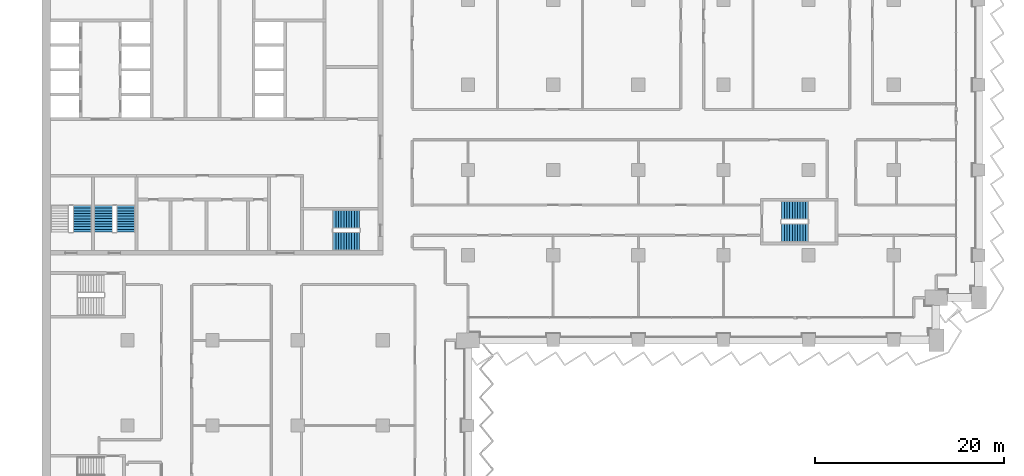
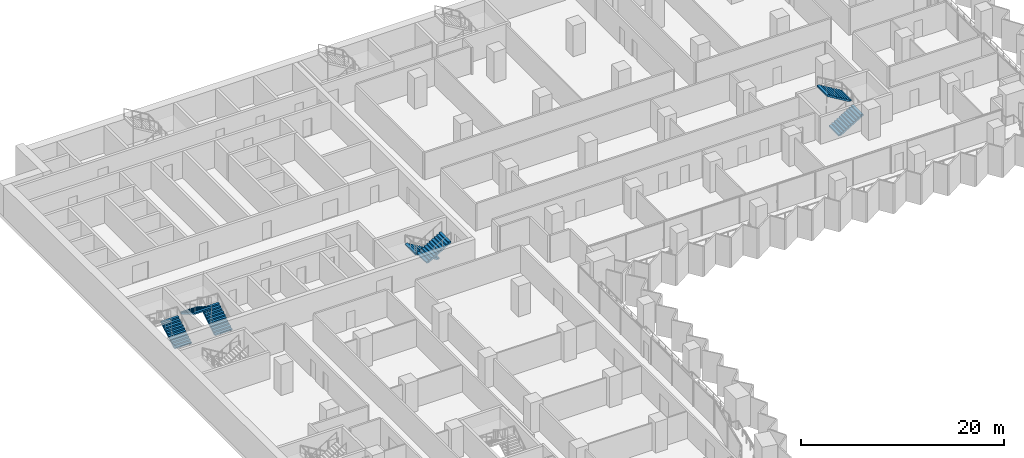
# One storey, part 20 of 28: 7 stair flights, 4 elements without a shape of their own.
"""IFC4 building model written with IfcOpenShell, lengths in metres."""

from ifc_helpers import new_model, si_unit, direction, frame, origin, place, context, subcontext, project, spatial, polyline, outline, extrude, material, type_object, element, aggregate, save


model = new_model("IFC4")

# Units and contexts
model_context = context("Model", 3, precision=1e-05, world=origin(), true_north=direction((0.0, 1.0)))
body_context = subcontext(model_context, "Body", "Model", "MODEL_VIEW")
ifc_project = project(units=[si_unit("LENGTHUNIT", "METRE"), si_unit("AREAUNIT", "SQUARE_METRE"), si_unit("VOLUMEUNIT", "CUBIC_METRE"), si_unit("PLANEANGLEUNIT", "RADIAN"), si_unit("MASSUNIT", "GRAM", prefix="KILO")], contexts=[model_context])

# Site, building, storey
site_placement = place(None, origin())
site = spatial("IfcSite", under=ifc_project, at=site_placement, CompositionType="ELEMENT")
building_placement = place(site_placement, origin())
building = spatial("IfcBuilding", under=site, at=building_placement, Name="Hunhe Ridgeline Campus", CompositionType="ELEMENT")
storey_placement = place(building_placement, frame((0.0, 0.0, 76.5)))
storey = spatial("IfcBuildingStorey", under=building, at=storey_placement, Name="L18", CompositionType="ELEMENT", Elevation=76.5)

# Stair, stair flights
ifc_material = material(Name="Concrete C40", Category="concrete")
stair_type = type_object("IfcStairType", Name="Reinforced concrete dog-leg stair 1950 Concrete C40", PredefinedType="HALF_TURN_STAIR", material=ifc_material)
stair_1_placement = place(storey_placement, origin())
stair_1 = element("IfcStair", 1, at=stair_1_placement, inside=storey, type_object=stair_type, Name="L18 S2", PredefinedType="HALF_TURN_STAIR")
stair_flight_type = type_object("IfcStairFlightType", Name="Reinforced concrete stair flight 1950 Concrete C40", PredefinedType="STRAIGHT", material=ifc_material)
stair_flight_1_placement = place(storey_placement, frame((33.550048828125, 66.77490234375, 0.0), z_axis=(0.0, 0.0, 1.0), x_axis=(-1.0, 0.0, 0.0)))
stair_flight_1 = element("IfcStairFlight", 2, at=stair_flight_1_placement, type_object=stair_flight_type, Name="ST2 flight 1", NumberOfRisers=11, NumberOfTreads=10, PredefinedType="STRAIGHT", RiserHeight=0.168181818, TreadLength=0.28, context=body_context, shape_type="SweptSolid", body=[
    extrude(outline(polyline([(0.0, 0.0), (0.0, 0.168212890625), (0.280029296875, 0.168212890625), (0.280029296875, 0.33642578125), (0.56005859375, 0.33642578125), (0.56005859375, 0.504638671875), (0.840087890625, 0.504638671875), (0.840087890625, 0.672607421875), (1.1201171875, 0.672607421875), (1.1201171875, 0.8408203125), (1.39990234375, 0.8408203125), (1.39990234375, 1.009033203125), (1.679931640625, 1.009033203125), (1.679931640625, 1.17724609375), (1.9599609375, 1.17724609375), (1.9599609375, 1.345458984375), (2.239990234375, 1.345458984375), (2.239990234375, 1.513671875), (2.52001953125, 1.513671875), (2.52001953125, 1.681884765625), (2.800048828125, 1.681884765625), (2.800048828125, 1.85009765625), (2.800048828125, 1.5068359375), (0.291015625, 0.0), (0.0, 0.0)])), frame((0.0, 0.97509765625, 0.0), z_axis=(0.0, -1.0, 0.0), x_axis=(1.0, 0.0, 0.0)), (0.0, 0.0, 1.0), 1.949951171875),
    extrude(outline(polyline([(0.030029296875, 0.030029296875), (0.030029296875, 0.13818359375), (0.31005859375, 0.13818359375), (0.31005859375, 0.306396484375), (0.590087890625, 0.306396484375), (0.590087890625, 0.474609375), (0.8701171875, 0.474609375), (0.8701171875, 0.642578125), (1.14990234375, 0.642578125), (1.14990234375, 0.810791015625), (1.429931640625, 0.810791015625), (1.429931640625, 0.97900390625), (1.7099609375, 0.97900390625), (1.7099609375, 1.147216796875), (1.989990234375, 1.147216796875), (1.989990234375, 1.3154296875), (2.27001953125, 1.3154296875), (2.27001953125, 1.483642578125), (2.550048828125, 1.483642578125), (2.550048828125, 1.65185546875), (2.77001953125, 1.65185546875), (2.77001953125, 1.52392578125), (0.28271484375, 0.030029296875), (0.030029296875, 0.030029296875)])), frame((0.0, -0.070068359375, 0.0), z_axis=(0.0, -1.0, 0.0), x_axis=(1.0, 0.0, 0.0)), (0.0, 0.0, 1.0), 0.019775390625),
    extrude(outline(polyline([(0.030029296875, 0.030029296875), (0.030029296875, 0.13818359375), (0.31005859375, 0.13818359375), (0.31005859375, 0.306396484375), (0.590087890625, 0.306396484375), (0.590087890625, 0.474609375), (0.8701171875, 0.474609375), (0.8701171875, 0.642578125), (1.14990234375, 0.642578125), (1.14990234375, 0.810791015625), (1.429931640625, 0.810791015625), (1.429931640625, 0.97900390625), (1.7099609375, 0.97900390625), (1.7099609375, 1.147216796875), (1.989990234375, 1.147216796875), (1.989990234375, 1.3154296875), (2.27001953125, 1.3154296875), (2.27001953125, 1.483642578125), (2.550048828125, 1.483642578125), (2.550048828125, 1.65185546875), (2.77001953125, 1.65185546875), (2.77001953125, 1.52392578125), (0.28271484375, 0.030029296875), (0.030029296875, 0.030029296875)])), frame((0.0, 0.010009765625, 0.0), z_axis=(0.0, -1.0, 0.0), x_axis=(1.0, 0.0, 0.0)), (0.0, 0.0, 1.0), 0.019775390625),
    extrude(outline(polyline([(0.030029296875, 0.030029296875), (0.030029296875, 0.13818359375), (0.31005859375, 0.13818359375), (0.31005859375, 0.306396484375), (0.590087890625, 0.306396484375), (0.590087890625, 0.474609375), (0.8701171875, 0.474609375), (0.8701171875, 0.642578125), (1.14990234375, 0.642578125), (1.14990234375, 0.810791015625), (1.429931640625, 0.810791015625), (1.429931640625, 0.97900390625), (1.7099609375, 0.97900390625), (1.7099609375, 1.147216796875), (1.989990234375, 1.147216796875), (1.989990234375, 1.3154296875), (2.27001953125, 1.3154296875), (2.27001953125, 1.483642578125), (2.550048828125, 1.483642578125), (2.550048828125, 1.65185546875), (2.77001953125, 1.65185546875), (2.77001953125, 1.52392578125), (0.28271484375, 0.030029296875), (0.030029296875, 0.030029296875)])), frame((0.0, 0.090087890625, 0.0), z_axis=(0.0, -1.0, 0.0), x_axis=(1.0, 0.0, 0.0)), (0.0, 0.0, 1.0), 0.019775390625),
])
stair_flight_2_placement = place(storey_placement, frame((30.75, 64.47509765625, 1.85009765625), z_axis=(0.0, 0.0, 1.0), x_axis=(1.0, 0.0, 0.0)))
stair_flight_2 = element("IfcStairFlight", 3, at=stair_flight_2_placement, type_object=stair_flight_type, Name="ST2 flight 2", NumberOfRisers=11, NumberOfTreads=10, PredefinedType="STRAIGHT", RiserHeight=0.168181818, TreadLength=0.28, context=body_context, shape_type="SweptSolid", body=[
    extrude(outline(polyline([(0.0, 0.0), (0.0, 0.168212890625), (0.280029296875, 0.168212890625), (0.280029296875, 0.33642578125), (0.56005859375, 0.33642578125), (0.56005859375, 0.504638671875), (0.840087890625, 0.504638671875), (0.840087890625, 0.672607421875), (1.1201171875, 0.672607421875), (1.1201171875, 0.8408203125), (1.39990234375, 0.8408203125), (1.39990234375, 1.009033203125), (1.679931640625, 1.009033203125), (1.679931640625, 1.17724609375), (1.9599609375, 1.17724609375), (1.9599609375, 1.345458984375), (2.239990234375, 1.345458984375), (2.239990234375, 1.513671875), (2.52001953125, 1.513671875), (2.52001953125, 1.681884765625), (2.800048828125, 1.681884765625), (2.800048828125, 1.85009765625), (2.800048828125, 1.5068359375), (0.291015625, 0.0), (0.0, 0.0)])), frame((0.0, 0.97509765625, 0.0), z_axis=(0.0, -1.0, 0.0), x_axis=(1.0, 0.0, 0.0)), (0.0, 0.0, 1.0), 1.949951171875),
    extrude(outline(polyline([(0.030029296875, 0.030029296875), (0.030029296875, 0.13818359375), (0.31005859375, 0.13818359375), (0.31005859375, 0.306396484375), (0.590087890625, 0.306396484375), (0.590087890625, 0.474609375), (0.8701171875, 0.474609375), (0.8701171875, 0.642578125), (1.14990234375, 0.642578125), (1.14990234375, 0.810791015625), (1.429931640625, 0.810791015625), (1.429931640625, 0.97900390625), (1.7099609375, 0.97900390625), (1.7099609375, 1.147216796875), (1.989990234375, 1.147216796875), (1.989990234375, 1.3154296875), (2.27001953125, 1.3154296875), (2.27001953125, 1.483642578125), (2.550048828125, 1.483642578125), (2.550048828125, 1.65185546875), (2.77001953125, 1.65185546875), (2.77001953125, 1.52392578125), (0.28271484375, 0.030029296875), (0.030029296875, 0.030029296875)])), frame((0.0, -0.070068359375, 0.0), z_axis=(0.0, -1.0, 0.0), x_axis=(1.0, 0.0, 0.0)), (0.0, 0.0, 1.0), 0.019775390625),
    extrude(outline(polyline([(0.030029296875, 0.030029296875), (0.030029296875, 0.13818359375), (0.31005859375, 0.13818359375), (0.31005859375, 0.306396484375), (0.590087890625, 0.306396484375), (0.590087890625, 0.474609375), (0.8701171875, 0.474609375), (0.8701171875, 0.642578125), (1.14990234375, 0.642578125), (1.14990234375, 0.810791015625), (1.429931640625, 0.810791015625), (1.429931640625, 0.97900390625), (1.7099609375, 0.97900390625), (1.7099609375, 1.147216796875), (1.989990234375, 1.147216796875), (1.989990234375, 1.3154296875), (2.27001953125, 1.3154296875), (2.27001953125, 1.483642578125), (2.550048828125, 1.483642578125), (2.550048828125, 1.65185546875), (2.77001953125, 1.65185546875), (2.77001953125, 1.52392578125), (0.28271484375, 0.030029296875), (0.030029296875, 0.030029296875)])), frame((0.0, 0.010009765625, 0.0), z_axis=(0.0, -1.0, 0.0), x_axis=(1.0, 0.0, 0.0)), (0.0, 0.0, 1.0), 0.019775390625),
    extrude(outline(polyline([(0.030029296875, 0.030029296875), (0.030029296875, 0.13818359375), (0.31005859375, 0.13818359375), (0.31005859375, 0.306396484375), (0.590087890625, 0.306396484375), (0.590087890625, 0.474609375), (0.8701171875, 0.474609375), (0.8701171875, 0.642578125), (1.14990234375, 0.642578125), (1.14990234375, 0.810791015625), (1.429931640625, 0.810791015625), (1.429931640625, 0.97900390625), (1.7099609375, 0.97900390625), (1.7099609375, 1.147216796875), (1.989990234375, 1.147216796875), (1.989990234375, 1.3154296875), (2.27001953125, 1.3154296875), (2.27001953125, 1.483642578125), (2.550048828125, 1.483642578125), (2.550048828125, 1.65185546875), (2.77001953125, 1.65185546875), (2.77001953125, 1.52392578125), (0.28271484375, 0.030029296875), (0.030029296875, 0.030029296875)])), frame((0.0, 0.090087890625, 0.0), z_axis=(0.0, -1.0, 0.0), x_axis=(1.0, 0.0, 0.0)), (0.0, 0.0, 1.0), 0.019775390625),
])
aggregate(stair_1, [stair_flight_1, stair_flight_2])

# Stair, stair flight
stair_2_placement = place(storey_placement, origin())
stair_2 = element("IfcStair", 4, at=stair_2_placement, inside=storey, type_object=stair_type, Name="L18 S3", PredefinedType="HALF_TURN_STAIR")
stair_flight_3_placement = place(storey_placement, frame((4.22509765625, 65.449951171875, 0.0), z_axis=(0.0, 0.0, 1.0), x_axis=(0.0, 1.0, 0.0)))
stair_flight_3 = element("IfcStairFlight", 5, at=stair_flight_3_placement, type_object=stair_flight_type, Name="ST3 flight 1", NumberOfRisers=11, NumberOfTreads=10, PredefinedType="STRAIGHT", RiserHeight=0.168181818, TreadLength=0.28, context=body_context, shape_type="SweptSolid", body=[
    extrude(outline(polyline([(0.0, 0.0), (0.0, 0.168212890625), (0.280029296875, 0.168212890625), (0.280029296875, 0.33642578125), (0.56005859375, 0.33642578125), (0.56005859375, 0.504638671875), (0.840087890625, 0.504638671875), (0.840087890625, 0.672607421875), (1.1201171875, 0.672607421875), (1.1201171875, 0.8408203125), (1.39990234375, 0.8408203125), (1.39990234375, 1.009033203125), (1.679931640625, 1.009033203125), (1.679931640625, 1.17724609375), (1.9599609375, 1.17724609375), (1.9599609375, 1.345458984375), (2.239990234375, 1.345458984375), (2.239990234375, 1.513671875), (2.52001953125, 1.513671875), (2.52001953125, 1.681884765625), (2.800048828125, 1.681884765625), (2.800048828125, 1.85009765625), (2.800048828125, 1.5068359375), (0.291015625, 0.0), (0.0, 0.0)])), frame((0.0, 0.97509765625, 0.0), z_axis=(0.0, -1.0, 0.0), x_axis=(1.0, 0.0, 0.0)), (0.0, 0.0, 1.0), 1.949951171875),
    extrude(outline(polyline([(0.030029296875, 0.030029296875), (0.030029296875, 0.13818359375), (0.31005859375, 0.13818359375), (0.31005859375, 0.306396484375), (0.590087890625, 0.306396484375), (0.590087890625, 0.474609375), (0.8701171875, 0.474609375), (0.8701171875, 0.642578125), (1.14990234375, 0.642578125), (1.14990234375, 0.810791015625), (1.429931640625, 0.810791015625), (1.429931640625, 0.97900390625), (1.7099609375, 0.97900390625), (1.7099609375, 1.147216796875), (1.989990234375, 1.147216796875), (1.989990234375, 1.3154296875), (2.27001953125, 1.3154296875), (2.27001953125, 1.483642578125), (2.550048828125, 1.483642578125), (2.550048828125, 1.65185546875), (2.77001953125, 1.65185546875), (2.77001953125, 1.52392578125), (0.28271484375, 0.030029296875), (0.030029296875, 0.030029296875)])), frame((0.0, -0.070068359375, 0.0), z_axis=(0.0, -1.0, 0.0), x_axis=(1.0, 0.0, 0.0)), (0.0, 0.0, 1.0), 0.019775390625),
    extrude(outline(polyline([(0.030029296875, 0.030029296875), (0.030029296875, 0.13818359375), (0.31005859375, 0.13818359375), (0.31005859375, 0.306396484375), (0.590087890625, 0.306396484375), (0.590087890625, 0.474609375), (0.8701171875, 0.474609375), (0.8701171875, 0.642578125), (1.14990234375, 0.642578125), (1.14990234375, 0.810791015625), (1.429931640625, 0.810791015625), (1.429931640625, 0.97900390625), (1.7099609375, 0.97900390625), (1.7099609375, 1.147216796875), (1.989990234375, 1.147216796875), (1.989990234375, 1.3154296875), (2.27001953125, 1.3154296875), (2.27001953125, 1.483642578125), (2.550048828125, 1.483642578125), (2.550048828125, 1.65185546875), (2.77001953125, 1.65185546875), (2.77001953125, 1.52392578125), (0.28271484375, 0.030029296875), (0.030029296875, 0.030029296875)])), frame((0.0, 0.010009765625, 0.0), z_axis=(0.0, -1.0, 0.0), x_axis=(1.0, 0.0, 0.0)), (0.0, 0.0, 1.0), 0.019775390625),
    extrude(outline(polyline([(0.030029296875, 0.030029296875), (0.030029296875, 0.13818359375), (0.31005859375, 0.13818359375), (0.31005859375, 0.306396484375), (0.590087890625, 0.306396484375), (0.590087890625, 0.474609375), (0.8701171875, 0.474609375), (0.8701171875, 0.642578125), (1.14990234375, 0.642578125), (1.14990234375, 0.810791015625), (1.429931640625, 0.810791015625), (1.429931640625, 0.97900390625), (1.7099609375, 0.97900390625), (1.7099609375, 1.147216796875), (1.989990234375, 1.147216796875), (1.989990234375, 1.3154296875), (2.27001953125, 1.3154296875), (2.27001953125, 1.483642578125), (2.550048828125, 1.483642578125), (2.550048828125, 1.65185546875), (2.77001953125, 1.65185546875), (2.77001953125, 1.52392578125), (0.28271484375, 0.030029296875), (0.030029296875, 0.030029296875)])), frame((0.0, 0.090087890625, 0.0), z_axis=(0.0, -1.0, 0.0), x_axis=(1.0, 0.0, 0.0)), (0.0, 0.0, 1.0), 0.019775390625),
])
aggregate(stair_2, [stair_flight_3])

# Stair, stair flights
stair_3_placement = place(storey_placement, origin())
stair_3 = element("IfcStair", 6, at=stair_3_placement, inside=storey, type_object=stair_type, Name="L18 S4", PredefinedType="HALF_TURN_STAIR")
stair_flight_4_placement = place(storey_placement, frame((8.824951171875, 65.449951171875, 0.0), z_axis=(0.0, 0.0, 1.0), x_axis=(0.0, 1.0, 0.0)))
stair_flight_4 = element("IfcStairFlight", 7, at=stair_flight_4_placement, type_object=stair_flight_type, Name="ST4 flight 1", NumberOfRisers=11, NumberOfTreads=10, PredefinedType="STRAIGHT", RiserHeight=0.168181818, TreadLength=0.28, context=body_context, shape_type="SweptSolid", body=[
    extrude(outline(polyline([(0.0, 0.0), (0.0, 0.168212890625), (0.280029296875, 0.168212890625), (0.280029296875, 0.33642578125), (0.56005859375, 0.33642578125), (0.56005859375, 0.504638671875), (0.840087890625, 0.504638671875), (0.840087890625, 0.672607421875), (1.1201171875, 0.672607421875), (1.1201171875, 0.8408203125), (1.39990234375, 0.8408203125), (1.39990234375, 1.009033203125), (1.679931640625, 1.009033203125), (1.679931640625, 1.17724609375), (1.9599609375, 1.17724609375), (1.9599609375, 1.345458984375), (2.239990234375, 1.345458984375), (2.239990234375, 1.513671875), (2.52001953125, 1.513671875), (2.52001953125, 1.681884765625), (2.800048828125, 1.681884765625), (2.800048828125, 1.85009765625), (2.800048828125, 1.5068359375), (0.291015625, 0.0), (0.0, 0.0)])), frame((0.0, 0.97509765625, 0.0), z_axis=(0.0, -1.0, 0.0), x_axis=(1.0, 0.0, 0.0)), (0.0, 0.0, 1.0), 1.949951171875),
    extrude(outline(polyline([(0.030029296875, 0.030029296875), (0.030029296875, 0.13818359375), (0.31005859375, 0.13818359375), (0.31005859375, 0.306396484375), (0.590087890625, 0.306396484375), (0.590087890625, 0.474609375), (0.8701171875, 0.474609375), (0.8701171875, 0.642578125), (1.14990234375, 0.642578125), (1.14990234375, 0.810791015625), (1.429931640625, 0.810791015625), (1.429931640625, 0.97900390625), (1.7099609375, 0.97900390625), (1.7099609375, 1.147216796875), (1.989990234375, 1.147216796875), (1.989990234375, 1.3154296875), (2.27001953125, 1.3154296875), (2.27001953125, 1.483642578125), (2.550048828125, 1.483642578125), (2.550048828125, 1.65185546875), (2.77001953125, 1.65185546875), (2.77001953125, 1.52392578125), (0.28271484375, 0.030029296875), (0.030029296875, 0.030029296875)])), frame((0.0, -0.070068359375, 0.0), z_axis=(0.0, -1.0, 0.0), x_axis=(1.0, 0.0, 0.0)), (0.0, 0.0, 1.0), 0.019775390625),
    extrude(outline(polyline([(0.030029296875, 0.030029296875), (0.030029296875, 0.13818359375), (0.31005859375, 0.13818359375), (0.31005859375, 0.306396484375), (0.590087890625, 0.306396484375), (0.590087890625, 0.474609375), (0.8701171875, 0.474609375), (0.8701171875, 0.642578125), (1.14990234375, 0.642578125), (1.14990234375, 0.810791015625), (1.429931640625, 0.810791015625), (1.429931640625, 0.97900390625), (1.7099609375, 0.97900390625), (1.7099609375, 1.147216796875), (1.989990234375, 1.147216796875), (1.989990234375, 1.3154296875), (2.27001953125, 1.3154296875), (2.27001953125, 1.483642578125), (2.550048828125, 1.483642578125), (2.550048828125, 1.65185546875), (2.77001953125, 1.65185546875), (2.77001953125, 1.52392578125), (0.28271484375, 0.030029296875), (0.030029296875, 0.030029296875)])), frame((0.0, 0.010009765625, 0.0), z_axis=(0.0, -1.0, 0.0), x_axis=(1.0, 0.0, 0.0)), (0.0, 0.0, 1.0), 0.019775390625),
    extrude(outline(polyline([(0.030029296875, 0.030029296875), (0.030029296875, 0.13818359375), (0.31005859375, 0.13818359375), (0.31005859375, 0.306396484375), (0.590087890625, 0.306396484375), (0.590087890625, 0.474609375), (0.8701171875, 0.474609375), (0.8701171875, 0.642578125), (1.14990234375, 0.642578125), (1.14990234375, 0.810791015625), (1.429931640625, 0.810791015625), (1.429931640625, 0.97900390625), (1.7099609375, 0.97900390625), (1.7099609375, 1.147216796875), (1.989990234375, 1.147216796875), (1.989990234375, 1.3154296875), (2.27001953125, 1.3154296875), (2.27001953125, 1.483642578125), (2.550048828125, 1.483642578125), (2.550048828125, 1.65185546875), (2.77001953125, 1.65185546875), (2.77001953125, 1.52392578125), (0.28271484375, 0.030029296875), (0.030029296875, 0.030029296875)])), frame((0.0, 0.090087890625, 0.0), z_axis=(0.0, -1.0, 0.0), x_axis=(1.0, 0.0, 0.0)), (0.0, 0.0, 1.0), 0.019775390625),
])
stair_flight_5_placement = place(storey_placement, frame((6.47509765625, 68.25, 1.85009765625), z_axis=(0.0, 0.0, 1.0), x_axis=(0.0, -1.0, 0.0)))
stair_flight_5 = element("IfcStairFlight", 8, at=stair_flight_5_placement, type_object=stair_flight_type, Name="ST4 flight 2", NumberOfRisers=11, NumberOfTreads=10, PredefinedType="STRAIGHT", RiserHeight=0.168181818, TreadLength=0.28, context=body_context, shape_type="SweptSolid", body=[
    extrude(outline(polyline([(0.0, 0.0), (0.0, 0.168212890625), (0.280029296875, 0.168212890625), (0.280029296875, 0.33642578125), (0.56005859375, 0.33642578125), (0.56005859375, 0.504638671875), (0.840087890625, 0.504638671875), (0.840087890625, 0.672607421875), (1.1201171875, 0.672607421875), (1.1201171875, 0.8408203125), (1.39990234375, 0.8408203125), (1.39990234375, 1.009033203125), (1.679931640625, 1.009033203125), (1.679931640625, 1.17724609375), (1.9599609375, 1.17724609375), (1.9599609375, 1.345458984375), (2.239990234375, 1.345458984375), (2.239990234375, 1.513671875), (2.52001953125, 1.513671875), (2.52001953125, 1.681884765625), (2.800048828125, 1.681884765625), (2.800048828125, 1.85009765625), (2.800048828125, 1.5068359375), (0.291015625, 0.0), (0.0, 0.0)])), frame((0.0, 0.97509765625, 0.0), z_axis=(0.0, -1.0, 0.0), x_axis=(1.0, 0.0, 0.0)), (0.0, 0.0, 1.0), 1.949951171875),
    extrude(outline(polyline([(0.030029296875, 0.030029296875), (0.030029296875, 0.13818359375), (0.31005859375, 0.13818359375), (0.31005859375, 0.306396484375), (0.590087890625, 0.306396484375), (0.590087890625, 0.474609375), (0.8701171875, 0.474609375), (0.8701171875, 0.642578125), (1.14990234375, 0.642578125), (1.14990234375, 0.810791015625), (1.429931640625, 0.810791015625), (1.429931640625, 0.97900390625), (1.7099609375, 0.97900390625), (1.7099609375, 1.147216796875), (1.989990234375, 1.147216796875), (1.989990234375, 1.3154296875), (2.27001953125, 1.3154296875), (2.27001953125, 1.483642578125), (2.550048828125, 1.483642578125), (2.550048828125, 1.65185546875), (2.77001953125, 1.65185546875), (2.77001953125, 1.52392578125), (0.28271484375, 0.030029296875), (0.030029296875, 0.030029296875)])), frame((0.0, -0.070068359375, 0.0), z_axis=(0.0, -1.0, 0.0), x_axis=(1.0, 0.0, 0.0)), (0.0, 0.0, 1.0), 0.019775390625),
    extrude(outline(polyline([(0.030029296875, 0.030029296875), (0.030029296875, 0.13818359375), (0.31005859375, 0.13818359375), (0.31005859375, 0.306396484375), (0.590087890625, 0.306396484375), (0.590087890625, 0.474609375), (0.8701171875, 0.474609375), (0.8701171875, 0.642578125), (1.14990234375, 0.642578125), (1.14990234375, 0.810791015625), (1.429931640625, 0.810791015625), (1.429931640625, 0.97900390625), (1.7099609375, 0.97900390625), (1.7099609375, 1.147216796875), (1.989990234375, 1.147216796875), (1.989990234375, 1.3154296875), (2.27001953125, 1.3154296875), (2.27001953125, 1.483642578125), (2.550048828125, 1.483642578125), (2.550048828125, 1.65185546875), (2.77001953125, 1.65185546875), (2.77001953125, 1.52392578125), (0.28271484375, 0.030029296875), (0.030029296875, 0.030029296875)])), frame((0.0, 0.010009765625, 0.0), z_axis=(0.0, -1.0, 0.0), x_axis=(1.0, 0.0, 0.0)), (0.0, 0.0, 1.0), 0.019775390625),
    extrude(outline(polyline([(0.030029296875, 0.030029296875), (0.030029296875, 0.13818359375), (0.31005859375, 0.13818359375), (0.31005859375, 0.306396484375), (0.590087890625, 0.306396484375), (0.590087890625, 0.474609375), (0.8701171875, 0.474609375), (0.8701171875, 0.642578125), (1.14990234375, 0.642578125), (1.14990234375, 0.810791015625), (1.429931640625, 0.810791015625), (1.429931640625, 0.97900390625), (1.7099609375, 0.97900390625), (1.7099609375, 1.147216796875), (1.989990234375, 1.147216796875), (1.989990234375, 1.3154296875), (2.27001953125, 1.3154296875), (2.27001953125, 1.483642578125), (2.550048828125, 1.483642578125), (2.550048828125, 1.65185546875), (2.77001953125, 1.65185546875), (2.77001953125, 1.52392578125), (0.28271484375, 0.030029296875), (0.030029296875, 0.030029296875)])), frame((0.0, 0.090087890625, 0.0), z_axis=(0.0, -1.0, 0.0), x_axis=(1.0, 0.0, 0.0)), (0.0, 0.0, 1.0), 0.019775390625),
])
aggregate(stair_3, [stair_flight_4, stair_flight_5])

stair_4_placement = place(storey_placement, origin())
stair_4 = element("IfcStair", 9, at=stair_4_placement, inside=storey, type_object=stair_type, Name="L18 E5", PredefinedType="HALF_TURN_STAIR")
stair_flight_6_placement = place(storey_placement, frame((78.14990234375, 65.375, 0.0), z_axis=(0.0, 0.0, 1.0), x_axis=(1.0, 0.0, 0.0)))
stair_flight_6 = element("IfcStairFlight", 10, at=stair_flight_6_placement, type_object=stair_flight_type, Name="ST10 flight 1", NumberOfRisers=11, NumberOfTreads=10, PredefinedType="STRAIGHT", RiserHeight=0.168181818, TreadLength=0.28, context=body_context, shape_type="SweptSolid", body=[
    extrude(outline(polyline([(0.0, 0.0), (0.0, 0.168212890625), (0.280029296875, 0.168212890625), (0.280029296875, 0.33642578125), (0.56005859375, 0.33642578125), (0.56005859375, 0.504638671875), (0.840087890625, 0.504638671875), (0.840087890625, 0.672607421875), (1.1201171875, 0.672607421875), (1.1201171875, 0.8408203125), (1.39990234375, 0.8408203125), (1.39990234375, 1.009033203125), (1.679931640625, 1.009033203125), (1.679931640625, 1.17724609375), (1.9599609375, 1.17724609375), (1.9599609375, 1.345458984375), (2.239990234375, 1.345458984375), (2.239990234375, 1.513671875), (2.52001953125, 1.513671875), (2.52001953125, 1.681884765625), (2.800048828125, 1.681884765625), (2.800048828125, 1.85009765625), (2.800048828125, 1.5068359375), (0.291015625, 0.0), (0.0, 0.0)])), frame((0.0, 0.97509765625, 0.0), z_axis=(0.0, -1.0, 0.0), x_axis=(1.0, 0.0, 0.0)), (0.0, 0.0, 1.0), 1.949951171875),
    extrude(outline(polyline([(0.030029296875, 0.030029296875), (0.030029296875, 0.13818359375), (0.31005859375, 0.13818359375), (0.31005859375, 0.306396484375), (0.590087890625, 0.306396484375), (0.590087890625, 0.474609375), (0.8701171875, 0.474609375), (0.8701171875, 0.642578125), (1.14990234375, 0.642578125), (1.14990234375, 0.810791015625), (1.429931640625, 0.810791015625), (1.429931640625, 0.97900390625), (1.7099609375, 0.97900390625), (1.7099609375, 1.147216796875), (1.989990234375, 1.147216796875), (1.989990234375, 1.3154296875), (2.27001953125, 1.3154296875), (2.27001953125, 1.483642578125), (2.550048828125, 1.483642578125), (2.550048828125, 1.65185546875), (2.77001953125, 1.65185546875), (2.77001953125, 1.52392578125), (0.28271484375, 0.030029296875), (0.030029296875, 0.030029296875)])), frame((0.0, -0.070068359375, 0.0), z_axis=(0.0, -1.0, 0.0), x_axis=(1.0, 0.0, 0.0)), (0.0, 0.0, 1.0), 0.019775390625),
    extrude(outline(polyline([(0.030029296875, 0.030029296875), (0.030029296875, 0.13818359375), (0.31005859375, 0.13818359375), (0.31005859375, 0.306396484375), (0.590087890625, 0.306396484375), (0.590087890625, 0.474609375), (0.8701171875, 0.474609375), (0.8701171875, 0.642578125), (1.14990234375, 0.642578125), (1.14990234375, 0.810791015625), (1.429931640625, 0.810791015625), (1.429931640625, 0.97900390625), (1.7099609375, 0.97900390625), (1.7099609375, 1.147216796875), (1.989990234375, 1.147216796875), (1.989990234375, 1.3154296875), (2.27001953125, 1.3154296875), (2.27001953125, 1.483642578125), (2.550048828125, 1.483642578125), (2.550048828125, 1.65185546875), (2.77001953125, 1.65185546875), (2.77001953125, 1.52392578125), (0.28271484375, 0.030029296875), (0.030029296875, 0.030029296875)])), frame((0.0, 0.010009765625, 0.0), z_axis=(0.0, -1.0, 0.0), x_axis=(1.0, 0.0, 0.0)), (0.0, 0.0, 1.0), 0.019775390625),
    extrude(outline(polyline([(0.030029296875, 0.030029296875), (0.030029296875, 0.13818359375), (0.31005859375, 0.13818359375), (0.31005859375, 0.306396484375), (0.590087890625, 0.306396484375), (0.590087890625, 0.474609375), (0.8701171875, 0.474609375), (0.8701171875, 0.642578125), (1.14990234375, 0.642578125), (1.14990234375, 0.810791015625), (1.429931640625, 0.810791015625), (1.429931640625, 0.97900390625), (1.7099609375, 0.97900390625), (1.7099609375, 1.147216796875), (1.989990234375, 1.147216796875), (1.989990234375, 1.3154296875), (2.27001953125, 1.3154296875), (2.27001953125, 1.483642578125), (2.550048828125, 1.483642578125), (2.550048828125, 1.65185546875), (2.77001953125, 1.65185546875), (2.77001953125, 1.52392578125), (0.28271484375, 0.030029296875), (0.030029296875, 0.030029296875)])), frame((0.0, 0.090087890625, 0.0), z_axis=(0.0, -1.0, 0.0), x_axis=(1.0, 0.0, 0.0)), (0.0, 0.0, 1.0), 0.019775390625),
])
stair_flight_7_placement = place(storey_placement, frame((80.949951171875, 67.72509765625, 1.85009765625), z_axis=(0.0, 0.0, 1.0), x_axis=(-1.0, 0.0, 0.0)))
stair_flight_7 = element("IfcStairFlight", 11, at=stair_flight_7_placement, type_object=stair_flight_type, Name="ST10 flight 2", NumberOfRisers=11, NumberOfTreads=10, PredefinedType="STRAIGHT", RiserHeight=0.168181818, TreadLength=0.28, context=body_context, shape_type="SweptSolid", body=[
    extrude(outline(polyline([(0.0, 0.0), (0.0, 0.168212890625), (0.280029296875, 0.168212890625), (0.280029296875, 0.33642578125), (0.56005859375, 0.33642578125), (0.56005859375, 0.504638671875), (0.840087890625, 0.504638671875), (0.840087890625, 0.672607421875), (1.1201171875, 0.672607421875), (1.1201171875, 0.8408203125), (1.39990234375, 0.8408203125), (1.39990234375, 1.009033203125), (1.679931640625, 1.009033203125), (1.679931640625, 1.17724609375), (1.9599609375, 1.17724609375), (1.9599609375, 1.345458984375), (2.239990234375, 1.345458984375), (2.239990234375, 1.513671875), (2.52001953125, 1.513671875), (2.52001953125, 1.681884765625), (2.800048828125, 1.681884765625), (2.800048828125, 1.85009765625), (2.800048828125, 1.5068359375), (0.291015625, 0.0), (0.0, 0.0)])), frame((0.0, 0.97509765625, 0.0), z_axis=(0.0, -1.0, 0.0), x_axis=(1.0, 0.0, 0.0)), (0.0, 0.0, 1.0), 1.949951171875),
    extrude(outline(polyline([(0.030029296875, 0.030029296875), (0.030029296875, 0.13818359375), (0.31005859375, 0.13818359375), (0.31005859375, 0.306396484375), (0.590087890625, 0.306396484375), (0.590087890625, 0.474609375), (0.8701171875, 0.474609375), (0.8701171875, 0.642578125), (1.14990234375, 0.642578125), (1.14990234375, 0.810791015625), (1.429931640625, 0.810791015625), (1.429931640625, 0.97900390625), (1.7099609375, 0.97900390625), (1.7099609375, 1.147216796875), (1.989990234375, 1.147216796875), (1.989990234375, 1.3154296875), (2.27001953125, 1.3154296875), (2.27001953125, 1.483642578125), (2.550048828125, 1.483642578125), (2.550048828125, 1.65185546875), (2.77001953125, 1.65185546875), (2.77001953125, 1.52392578125), (0.28271484375, 0.030029296875), (0.030029296875, 0.030029296875)])), frame((0.0, -0.070068359375, 0.0), z_axis=(0.0, -1.0, 0.0), x_axis=(1.0, 0.0, 0.0)), (0.0, 0.0, 1.0), 0.019775390625),
    extrude(outline(polyline([(0.030029296875, 0.030029296875), (0.030029296875, 0.13818359375), (0.31005859375, 0.13818359375), (0.31005859375, 0.306396484375), (0.590087890625, 0.306396484375), (0.590087890625, 0.474609375), (0.8701171875, 0.474609375), (0.8701171875, 0.642578125), (1.14990234375, 0.642578125), (1.14990234375, 0.810791015625), (1.429931640625, 0.810791015625), (1.429931640625, 0.97900390625), (1.7099609375, 0.97900390625), (1.7099609375, 1.147216796875), (1.989990234375, 1.147216796875), (1.989990234375, 1.3154296875), (2.27001953125, 1.3154296875), (2.27001953125, 1.483642578125), (2.550048828125, 1.483642578125), (2.550048828125, 1.65185546875), (2.77001953125, 1.65185546875), (2.77001953125, 1.52392578125), (0.28271484375, 0.030029296875), (0.030029296875, 0.030029296875)])), frame((0.0, 0.010009765625, 0.0), z_axis=(0.0, -1.0, 0.0), x_axis=(1.0, 0.0, 0.0)), (0.0, 0.0, 1.0), 0.019775390625),
    extrude(outline(polyline([(0.030029296875, 0.030029296875), (0.030029296875, 0.13818359375), (0.31005859375, 0.13818359375), (0.31005859375, 0.306396484375), (0.590087890625, 0.306396484375), (0.590087890625, 0.474609375), (0.8701171875, 0.474609375), (0.8701171875, 0.642578125), (1.14990234375, 0.642578125), (1.14990234375, 0.810791015625), (1.429931640625, 0.810791015625), (1.429931640625, 0.97900390625), (1.7099609375, 0.97900390625), (1.7099609375, 1.147216796875), (1.989990234375, 1.147216796875), (1.989990234375, 1.3154296875), (2.27001953125, 1.3154296875), (2.27001953125, 1.483642578125), (2.550048828125, 1.483642578125), (2.550048828125, 1.65185546875), (2.77001953125, 1.65185546875), (2.77001953125, 1.52392578125), (0.28271484375, 0.030029296875), (0.030029296875, 0.030029296875)])), frame((0.0, 0.090087890625, 0.0), z_axis=(0.0, -1.0, 0.0), x_axis=(1.0, 0.0, 0.0)), (0.0, 0.0, 1.0), 0.019775390625),
])
aggregate(stair_4, [stair_flight_6, stair_flight_7])

save(model, "model.ifc")
